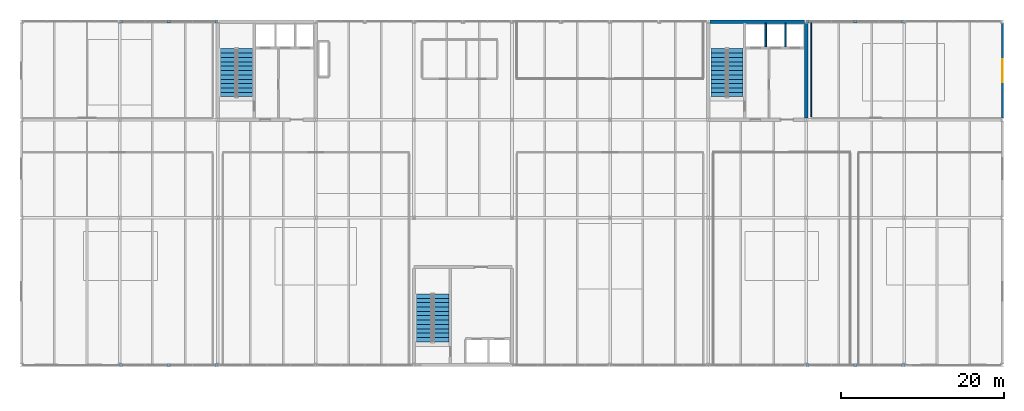
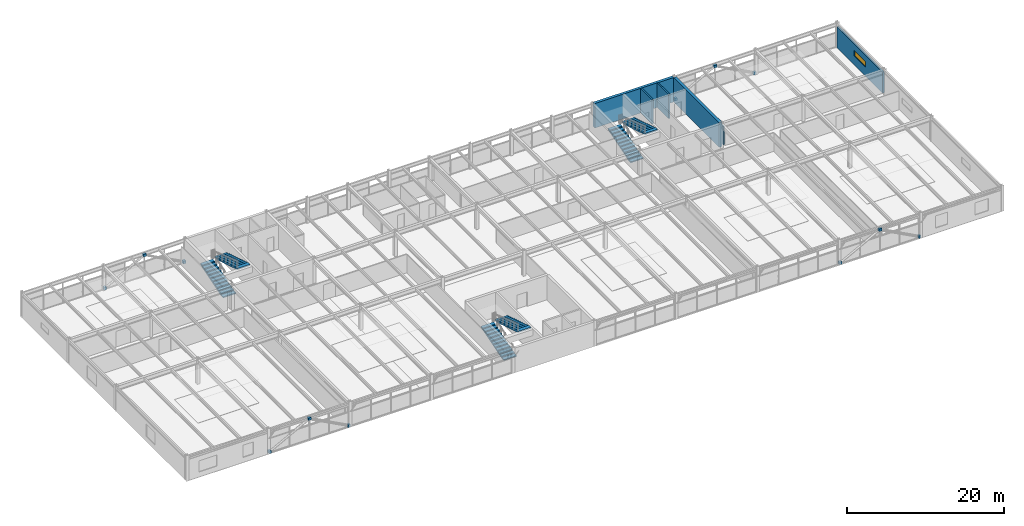
# One storey, part 46 of 51: 12 discrete accessories, 6 stair flights, 6 walls, 1 window, 1 opening, 3 elements without a shape of their own.
"""IFC4 building model written with IfcOpenShell, lengths in metres."""

from ifc_helpers import new_model, si_unit, direction, frame, frame_2d, origin, origin_2d, place, context, subcontext, project, spatial, polyline, rectangle, outline, extrude, material, layer, layer_set, type_object, element, fill, aggregate, save


model = new_model("IFC4")

# Units and contexts
model_context = context("Model", 3, precision=1e-05, world=origin(), true_north=direction((0.0, 1.0)))
body_context = subcontext(model_context, "Body", "Model", "MODEL_VIEW")
ifc_project = project(units=[si_unit("LENGTHUNIT", "METRE"), si_unit("AREAUNIT", "SQUARE_METRE"), si_unit("VOLUMEUNIT", "CUBIC_METRE"), si_unit("PLANEANGLEUNIT", "RADIAN"), si_unit("MASSUNIT", "GRAM", prefix="KILO")], contexts=[model_context])

# Site, building, storey
site_placement = place(None, origin())
site = spatial("IfcSite", under=ifc_project, at=site_placement, CompositionType="ELEMENT")
building_placement = place(site_placement, origin())
building = spatial("IfcBuilding", under=site, at=building_placement, Name="Girod Span Mobility Hub", CompositionType="ELEMENT")
storey_placement = place(building_placement, frame((0.0, 0.0, 41.60009765625)))
storey = spatial("IfcBuildingStorey", under=building, at=storey_placement, Name="L10", CompositionType="ELEMENT", Elevation=41.60009765625)

# Walls
ifc_material_1 = material(Name="Concrete C40/50", Category="concrete")
ifc_layer_1 = layer(ifc_material_1, 0.39990234375)
ifc_layer_set_1 = layer_set([ifc_layer_1], Name="Concrete C40/50")
wall_type_1 = type_object("IfcWallType", Name="W-CW-400", PredefinedType="SHEAR", material=ifc_layer_set_1)
wall_1_placement = place(storey_placement, frame((108.196533203125, 69.0, 0.0), z_axis=(0.0, 0.0, 1.0), x_axis=(1.0, 0.0, 0.0)))
element("IfcWall", 1, at=wall_1_placement, inside=storey, type_object=wall_type_1, Name="Core C2 Shear Wall N L10", PredefinedType="SHEAR", context=body_context, shape_type="SweptSolid", body=[
    extrude(rectangle(XDim=11.60693359375, YDim=0.39990234375, at=frame_2d((5.803466796875, 0.0))), origin(), (0.0, 0.0, 1.0), 3.827880859375),
])
wall_2_placement = place(storey_placement, frame((120.0, 57.193603515625, 0.0), z_axis=(0.0, 0.0, 1.0), x_axis=(0.0, 1.0, 0.0)))
element("IfcWall", 2, at=wall_2_placement, inside=storey, type_object=wall_type_1, Name="Core C2 Shear Wall E L10", PredefinedType="SHEAR", context=body_context, shape_type="SweptSolid", body=[
    extrude(rectangle(XDim=11.61279296875, YDim=0.39990234375, at=frame_2d((5.806396484375, 0.0))), origin(), (0.0, 0.0, 1.0), 3.827880859375),
])

# Wall, opening, window
ifc_material_2 = material(Name="Precast Architectural Concrete C40/50", Category="concrete")
ifc_layer_2 = layer(ifc_material_2, 0.27001953125)
ifc_layer_set_2 = layer_set([ifc_layer_2], Name="Precast Architectural Concrete C40/50")
wall_type_2 = type_object("IfcWallType", Name="W-EXT-270", PredefinedType="SOLIDWALL", material=ifc_layer_set_2)
wall_3_placement = place(storey_placement, frame((144.0, 57.185546875, 0.0), z_axis=(0.0, 0.0, 1.0), x_axis=(0.0, 1.0, 0.0)))
wall_3 = element("IfcWall", 3, at=wall_3_placement, inside=storey, type_object=wall_type_2, Name="End Facade Insulated Wall E-E L10", PredefinedType="SOLIDWALL", context=body_context, shape_type="SweptSolid", body=[
    extrude(rectangle(XDim=11.62890625, YDim=0.27001953125, at=frame_2d((5.814453125, 0.0))), origin(), (0.0, 0.0, 1.0), 3.281005859375),
])
opening_placement = place(wall_3_placement, frame((4.388916015625, 0.0, 1.39990234375)))
opening = element("IfcOpeningElement", 4, at=opening_placement, cuts=wall_3, Name="Opening W-L10-E4", PredefinedType="OPENING", context=body_context, shape_type="SweptSolid", body=[
    extrude(rectangle(XDim=2.85009765625, YDim=0.8798828125, at=frame_2d((1.425048828125, 0.43994140625))), frame((0.0, 0.14990234375, 0.0), z_axis=(0.0, -1.0, 0.0), x_axis=(1.0, 0.0, 0.0)), (0.0, 0.0, 1.0), 0.300048828125),
])
ifc_material_3 = material(Name="Double Low-E Insulated Glazing", Category="glass")
window_type = type_object("IfcWindowType", Name="WN-47", PartitioningType="DOUBLE_PANEL_VERTICAL", PredefinedType="USERDEFINED", material=ifc_material_3)
window_placement = place(opening_placement, origin())
window = element("IfcWindow", 5, at=window_placement, inside=storey, type_object=window_type, Name="End Office Window WN-47", ObjectType="TRANSOM LIGHT", OverallHeight=0.8798828125, OverallWidth=2.85009765625, PartitioningType="DOUBLE_PANEL_VERTICAL", PredefinedType="USERDEFINED", context=body_context, shape_type="SweptSolid", body=[
    extrude(rectangle(XDim=2.85009765625, YDim=0.8798828125, at=frame_2d((1.425048828125, 0.43994140625))), frame((0.0, 0.030029296875, 0.0), z_axis=(0.0, -1.0, 0.0), x_axis=(1.0, 0.0, 0.0)), (0.0, 0.0, 1.0), 0.06005859375),
])
fill(opening, window)

# Walls
ifc_material_4 = material(Name="Fire-Rated Gypsum Board on Metal Studs", Category="gypsum")
ifc_layer_3 = layer(ifc_material_4, 0.125)
ifc_layer_set_3 = layer_set([ifc_layer_3], Name="Fire-Rated Gypsum Board on Metal Studs")
wall_type_3 = type_object("IfcWallType", Name="W-PT-125", PredefinedType="PARTITIONING", material=ifc_layer_set_3)
wall_4_placement = place(storey_placement, frame((120.60009765625, 57.360107421875, 0.0), z_axis=(0.0, 0.0, 1.0), x_axis=(0.0, 1.0, 0.0)))
element("IfcWall", 6, at=wall_4_placement, inside=storey, type_object=wall_type_3, Name="Engineering Studio East L10 Partition W", PredefinedType="PARTITIONING", context=body_context, shape_type="SweptSolid", body=[
    extrude(rectangle(XDim=11.5, YDim=0.125, at=frame_2d((5.75, 0.0))), origin(), (0.0, 0.0, 1.0), 2.8798828125),
])
ifc_material_5 = material(Name="Concrete C40/50", Category="concrete")
ifc_layer_4 = layer(ifc_material_5, 0.199951171875)
ifc_layer_set_4 = layer_set([ifc_layer_4], Name="Concrete C40/50")
wall_type_4 = type_object("IfcWallType", Name="W-SH-200", PredefinedType="SOLIDWALL", material=ifc_layer_set_4)
for number, where, z_axis, x_axis, name in (
    (7, (115.050048828125, 65.919921875, 0.0), (0.0, 0.0, 1.0), (0.0, 1.0, 0.0), "Core C2 Shaft Divider 1 L10"),
    (8, (117.47998046875, 65.919921875, 0.0), (0.0, 0.0, 1.0), (0.0, 1.0, 0.0), "Core C2 Shaft Divider 2 L10"),
):
    element("IfcWall", number, at=place(storey_placement, frame(where, z_axis=z_axis, x_axis=x_axis)), inside=storey, type_object=wall_type_4, Name=name, PredefinedType="SOLIDWALL", context=body_context, shape_type="SweptSolid", body=[
        extrude(rectangle(XDim=2.880126953125, YDim=0.199951171875, at=frame_2d((1.43994140625, 0.0))), origin(), (0.0, 0.0, 1.0), 3.81787109375),
    ])

# Stair, stair flights
ifc_material_6 = material(Name="Concrete C40/50", Category="concrete")
stair_type = type_object("IfcStairType", Name="STR-4000-W1860", PredefinedType="HALF_TURN_STAIR", material=ifc_material_6)
stair_1_placement = place(storey_placement, origin())
stair_1 = element("IfcStair", 9, at=stair_1_placement, inside=storey, type_object=stair_type, Name="Exit Stair ST-1 L10", PredefinedType="HALF_TURN_STAIR")
ifc_material_7 = material(Name="Concrete C40/50", Category="concrete")
stair_flight_type = type_object("IfcStairFlightType", Name="STF-2000-W1860", PredefinedType="STRAIGHT", material=ifc_material_7)
stair_flight_1_placement = place(storey_placement, frame((49.25, 59.81005859375, 0.0), z_axis=(0.0, 0.0, 1.0), x_axis=(0.0, 1.0, 0.0)))
stair_flight_1 = element("IfcStairFlight", 10, at=stair_flight_1_placement, type_object=stair_flight_type, Name="Stair ST-1 Flight 1 L10", NumberOfRisers=12, NumberOfTreads=11, PredefinedType="STRAIGHT", RiserHeight=0.16667, TreadLength=0.53455, context=body_context, shape_type="SweptSolid", body=[
    extrude(outline(polyline([(0.0, 0.0), (0.0, 0.166748046875), (0.53466796875, 0.166748046875), (0.53466796875, 0.333251953125), (1.069091796875, 0.333251953125), (1.069091796875, 0.5), (1.603759765625, 0.5), (1.603759765625, 0.666748046875), (2.13818359375, 0.666748046875), (2.13818359375, 0.833251953125), (2.6728515625, 0.833251953125), (2.6728515625, 1.0), (3.207275390625, 1.0), (3.207275390625, 1.166748046875), (3.741943359375, 1.166748046875), (3.741943359375, 1.333251953125), (4.2763671875, 1.333251953125), (4.2763671875, 1.5), (4.81103515625, 1.5), (4.81103515625, 1.666748046875), (5.345458984375, 1.666748046875), (5.345458984375, 1.833251953125), (5.880126953125, 1.833251953125), (5.880126953125, 2.0), (5.880126953125, 1.634521484375), (0.63818359375, 0.0), (0.0, 0.0)])), frame((0.0, 0.93017578125, 0.0), z_axis=(0.0, -1.0, 0.0), x_axis=(1.0, 0.0, 0.0)), (0.0, 0.0, 1.0), 1.860107421875),
])
stair_flight_2_placement = place(storey_placement, frame((51.35009765625, 65.68994140625, 2.0), z_axis=(0.0, 0.0, 1.0), x_axis=(0.0, -1.0, 0.0)))
stair_flight_2 = element("IfcStairFlight", 11, at=stair_flight_2_placement, type_object=stair_flight_type, Name="Stair ST-1 Flight 2 L10", NumberOfRisers=12, NumberOfTreads=11, PredefinedType="STRAIGHT", RiserHeight=0.16667, TreadLength=0.53455, context=body_context, shape_type="SweptSolid", body=[
    extrude(outline(polyline([(0.0, 0.0), (0.0, 0.166748046875), (0.53466796875, 0.166748046875), (0.53466796875, 0.333251953125), (1.069091796875, 0.333251953125), (1.069091796875, 0.5), (1.603759765625, 0.5), (1.603759765625, 0.666748046875), (2.13818359375, 0.666748046875), (2.13818359375, 0.833251953125), (2.6728515625, 0.833251953125), (2.6728515625, 1.0), (3.207275390625, 1.0), (3.207275390625, 1.166748046875), (3.741943359375, 1.166748046875), (3.741943359375, 1.333251953125), (4.2763671875, 1.333251953125), (4.2763671875, 1.5), (4.81103515625, 1.5), (4.81103515625, 1.666748046875), (5.345458984375, 1.666748046875), (5.345458984375, 1.833251953125), (5.880126953125, 1.833251953125), (5.880126953125, 2.0), (5.880126953125, 1.634521484375), (0.63818359375, 0.0), (0.0, 0.0)])), frame((0.0, 0.93017578125, 0.0), z_axis=(0.0, -1.0, 0.0), x_axis=(1.0, 0.0, 0.0)), (0.0, 0.0, 1.0), 1.860107421875),
])
aggregate(stair_1, [stair_flight_1, stair_flight_2])

stair_2_placement = place(storey_placement, origin())
stair_2 = element("IfcStair", 12, at=stair_2_placement, inside=storey, type_object=stair_type, Name="Exit Stair ST-2 L10", PredefinedType="HALF_TURN_STAIR")
stair_flight_3_placement = place(storey_placement, frame((109.25, 59.81005859375, 0.0), z_axis=(0.0, 0.0, 1.0), x_axis=(0.0, 1.0, 0.0)))
stair_flight_3 = element("IfcStairFlight", 13, at=stair_flight_3_placement, type_object=stair_flight_type, Name="Stair ST-2 Flight 1 L10", NumberOfRisers=12, NumberOfTreads=11, PredefinedType="STRAIGHT", RiserHeight=0.16667, TreadLength=0.53455, context=body_context, shape_type="SweptSolid", body=[
    extrude(outline(polyline([(0.0, 0.0), (0.0, 0.166748046875), (0.53466796875, 0.166748046875), (0.53466796875, 0.333251953125), (1.069091796875, 0.333251953125), (1.069091796875, 0.5), (1.603759765625, 0.5), (1.603759765625, 0.666748046875), (2.13818359375, 0.666748046875), (2.13818359375, 0.833251953125), (2.6728515625, 0.833251953125), (2.6728515625, 1.0), (3.207275390625, 1.0), (3.207275390625, 1.166748046875), (3.741943359375, 1.166748046875), (3.741943359375, 1.333251953125), (4.2763671875, 1.333251953125), (4.2763671875, 1.5), (4.81103515625, 1.5), (4.81103515625, 1.666748046875), (5.345458984375, 1.666748046875), (5.345458984375, 1.833251953125), (5.880126953125, 1.833251953125), (5.880126953125, 2.0), (5.880126953125, 1.634521484375), (0.63818359375, 0.0), (0.0, 0.0)])), frame((0.0, 0.93017578125, 0.0), z_axis=(0.0, -1.0, 0.0), x_axis=(1.0, 0.0, 0.0)), (0.0, 0.0, 1.0), 1.860107421875),
])
stair_flight_4_placement = place(storey_placement, frame((111.35009765625, 65.68994140625, 2.0), z_axis=(0.0, 0.0, 1.0), x_axis=(0.0, -1.0, 0.0)))
stair_flight_4 = element("IfcStairFlight", 14, at=stair_flight_4_placement, type_object=stair_flight_type, Name="Stair ST-2 Flight 2 L10", NumberOfRisers=12, NumberOfTreads=11, PredefinedType="STRAIGHT", RiserHeight=0.16667, TreadLength=0.53455, context=body_context, shape_type="SweptSolid", body=[
    extrude(outline(polyline([(0.0, 0.0), (0.0, 0.166748046875), (0.53466796875, 0.166748046875), (0.53466796875, 0.333251953125), (1.069091796875, 0.333251953125), (1.069091796875, 0.5), (1.603759765625, 0.5), (1.603759765625, 0.666748046875), (2.13818359375, 0.666748046875), (2.13818359375, 0.833251953125), (2.6728515625, 0.833251953125), (2.6728515625, 1.0), (3.207275390625, 1.0), (3.207275390625, 1.166748046875), (3.741943359375, 1.166748046875), (3.741943359375, 1.333251953125), (4.2763671875, 1.333251953125), (4.2763671875, 1.5), (4.81103515625, 1.5), (4.81103515625, 1.666748046875), (5.345458984375, 1.666748046875), (5.345458984375, 1.833251953125), (5.880126953125, 1.833251953125), (5.880126953125, 2.0), (5.880126953125, 1.634521484375), (0.63818359375, 0.0), (0.0, 0.0)])), frame((0.0, 0.93017578125, 0.0), z_axis=(0.0, -1.0, 0.0), x_axis=(1.0, 0.0, 0.0)), (0.0, 0.0, 1.0), 1.860107421875),
])
aggregate(stair_2, [stair_flight_3, stair_flight_4])

stair_3_placement = place(storey_placement, origin())
stair_3 = element("IfcStair", 15, at=stair_3_placement, inside=storey, type_object=stair_type, Name="Exit Stair ST-3 L10", PredefinedType="HALF_TURN_STAIR")
stair_flight_5_placement = place(storey_placement, frame((73.25, 29.81005859375, 0.0), z_axis=(0.0, 0.0, 1.0), x_axis=(0.0, 1.0, 0.0)))
stair_flight_5 = element("IfcStairFlight", 16, at=stair_flight_5_placement, type_object=stair_flight_type, Name="Stair ST-3 Flight 1 L10", NumberOfRisers=12, NumberOfTreads=11, PredefinedType="STRAIGHT", RiserHeight=0.16667, TreadLength=0.53455, context=body_context, shape_type="SweptSolid", body=[
    extrude(outline(polyline([(0.0, 0.0), (0.0, 0.166748046875), (0.53466796875, 0.166748046875), (0.53466796875, 0.333251953125), (1.069091796875, 0.333251953125), (1.069091796875, 0.5), (1.603759765625, 0.5), (1.603759765625, 0.666748046875), (2.13818359375, 0.666748046875), (2.13818359375, 0.833251953125), (2.6728515625, 0.833251953125), (2.6728515625, 1.0), (3.207275390625, 1.0), (3.207275390625, 1.166748046875), (3.741943359375, 1.166748046875), (3.741943359375, 1.333251953125), (4.2763671875, 1.333251953125), (4.2763671875, 1.5), (4.81103515625, 1.5), (4.81103515625, 1.666748046875), (5.345458984375, 1.666748046875), (5.345458984375, 1.833251953125), (5.880126953125, 1.833251953125), (5.880126953125, 2.0), (5.880126953125, 1.634521484375), (0.63818359375, 0.0), (0.0, 0.0)])), frame((0.0, 0.93017578125, 0.0), z_axis=(0.0, -1.0, 0.0), x_axis=(1.0, 0.0, 0.0)), (0.0, 0.0, 1.0), 1.860107421875),
])
stair_flight_6_placement = place(storey_placement, frame((75.35009765625, 35.68994140625, 2.0), z_axis=(0.0, 0.0, 1.0), x_axis=(0.0, -1.0, 0.0)))
stair_flight_6 = element("IfcStairFlight", 17, at=stair_flight_6_placement, type_object=stair_flight_type, Name="Stair ST-3 Flight 2 L10", NumberOfRisers=12, NumberOfTreads=11, PredefinedType="STRAIGHT", RiserHeight=0.16667, TreadLength=0.53455, context=body_context, shape_type="SweptSolid", body=[
    extrude(outline(polyline([(0.0, 0.0), (0.0, 0.166748046875), (0.53466796875, 0.166748046875), (0.53466796875, 0.333251953125), (1.069091796875, 0.333251953125), (1.069091796875, 0.5), (1.603759765625, 0.5), (1.603759765625, 0.666748046875), (2.13818359375, 0.666748046875), (2.13818359375, 0.833251953125), (2.6728515625, 0.833251953125), (2.6728515625, 1.0), (3.207275390625, 1.0), (3.207275390625, 1.166748046875), (3.741943359375, 1.166748046875), (3.741943359375, 1.333251953125), (4.2763671875, 1.333251953125), (4.2763671875, 1.5), (4.81103515625, 1.5), (4.81103515625, 1.666748046875), (5.345458984375, 1.666748046875), (5.345458984375, 1.833251953125), (5.880126953125, 1.833251953125), (5.880126953125, 2.0), (5.880126953125, 1.634521484375), (0.63818359375, 0.0), (0.0, 0.0)])), frame((0.0, 0.93017578125, 0.0), z_axis=(0.0, -1.0, 0.0), x_axis=(1.0, 0.0, 0.0)), (0.0, 0.0, 1.0), 1.860107421875),
])
aggregate(stair_3, [stair_flight_5, stair_flight_6])

# Discrete accessories
ifc_material_8 = material(Name="Steel HSS A500 Grade C", Category="steel")
discrete_accessory_type = type_object("IfcDiscreteAccessoryType", Name="ACC-CAP-HSS324", PredefinedType="BRACKET", material=ifc_material_8)
for number, where, z_axis, x_axis, name in (
    (18, (36.16845703125, 27.0, 0.0400390625), (0.0, 0.0, 1.0), (1.0, 0.0, 0.0), "Diagrid Brace End Cap Gusset 4/C-L L10"),
    (19, (47.83154296875, 27.0, 0.0400390625), (0.0, 0.0, 1.0), (1.0, 0.0, 0.0), "Diagrid Brace End Cap Gusset 4/C-R L10"),
):
    element("IfcDiscreteAccessory", number, at=place(storey_placement, frame(where, z_axis=z_axis, x_axis=x_axis)), inside=storey, type_object=discrete_accessory_type, Name=name, PredefinedType="BRACKET", context=body_context, shape_type="SweptSolid", body=[
        extrude(rectangle(XDim=0.35693359375, YDim=0.360107421875, at=origin_2d()), origin(), (0.0, 0.0, 1.0), 0.419921875),
    ])
discrete_accessory_1_placement = place(storey_placement, frame((42.0, 27.0, 3.180908203125), z_axis=(0.0, 0.0, 1.0), x_axis=(1.0, 0.0, 0.0)))
element("IfcDiscreteAccessory", 20, at=discrete_accessory_1_placement, inside=storey, type_object=discrete_accessory_type, Name="Diagrid Brace Apex End Cap Gusset 4/C-M L10", PredefinedType="BRACKET", context=body_context, shape_type="SweptSolid", body=[
    extrude(rectangle(XDim=0.43994140625, YDim=0.360107421875, at=origin_2d()), origin(), (0.0, 0.0, 1.0), 0.3798828125),
])
for number, where, z_axis, x_axis, name in (
    (21, (120.16845703125, 27.0, 0.0400390625), (0.0, 0.0, 1.0), (1.0, 0.0, 0.0), "Diagrid Brace End Cap Gusset 11/C-L L10"),
    (22, (131.83154296875, 27.0, 0.0400390625), (0.0, 0.0, 1.0), (1.0, 0.0, 0.0), "Diagrid Brace End Cap Gusset 11/C-R L10"),
):
    element("IfcDiscreteAccessory", number, at=place(storey_placement, frame(where, z_axis=z_axis, x_axis=x_axis)), inside=storey, type_object=discrete_accessory_type, Name=name, PredefinedType="BRACKET", context=body_context, shape_type="SweptSolid", body=[
        extrude(rectangle(XDim=0.35693359375, YDim=0.360107421875, at=origin_2d()), origin(), (0.0, 0.0, 1.0), 0.419921875),
    ])
discrete_accessory_2_placement = place(storey_placement, frame((126.0, 27.0, 3.180908203125), z_axis=(0.0, 0.0, 1.0), x_axis=(1.0, 0.0, 0.0)))
element("IfcDiscreteAccessory", 23, at=discrete_accessory_2_placement, inside=storey, type_object=discrete_accessory_type, Name="Diagrid Brace Apex End Cap Gusset 11/C-M L10", PredefinedType="BRACKET", context=body_context, shape_type="SweptSolid", body=[
    extrude(rectangle(XDim=0.43994140625, YDim=0.360107421875, at=origin_2d()), origin(), (0.0, 0.0, 1.0), 0.3798828125),
])
discrete_accessory_3_placement = place(storey_placement, frame((36.16845703125, 69.0, 0.0400390625), z_axis=(0.0, 0.0, 1.0), x_axis=(1.0, 0.0, 0.0)))
element("IfcDiscreteAccessory", 24, at=discrete_accessory_3_placement, inside=storey, type_object=discrete_accessory_type, Name="Diagrid Brace End Cap Gusset 4/F-L L10", PredefinedType="BRACKET", context=body_context, shape_type="SweptSolid", body=[
    extrude(rectangle(XDim=0.35693359375, YDim=0.360107421875, at=origin_2d()), origin(), (0.0, 0.0, 1.0), 0.419921875),
])
discrete_accessory_4_placement = place(storey_placement, frame((47.830078125, 69.0, 0.0400390625), z_axis=(0.0, 0.0, 1.0), x_axis=(1.0, 0.0, 0.0)))
element("IfcDiscreteAccessory", 25, at=discrete_accessory_4_placement, inside=storey, type_object=discrete_accessory_type, Name="Diagrid Brace End Cap Gusset 4/F-R L10", PredefinedType="BRACKET", context=body_context, shape_type="SweptSolid", body=[
    extrude(rectangle(XDim=0.359619140625, YDim=0.360107421875, at=origin_2d()), origin(), (0.0, 0.0, 1.0), 0.419921875),
])
discrete_accessory_5_placement = place(storey_placement, frame((42.0, 69.0, 3.180908203125), z_axis=(0.0, 0.0, 1.0), x_axis=(1.0, 0.0, 0.0)))
element("IfcDiscreteAccessory", 26, at=discrete_accessory_5_placement, inside=storey, type_object=discrete_accessory_type, Name="Diagrid Brace Apex End Cap Gusset 4/F-M L10", PredefinedType="BRACKET", context=body_context, shape_type="SweptSolid", body=[
    extrude(rectangle(XDim=0.43994140625, YDim=0.360107421875, at=origin_2d()), origin(), (0.0, 0.0, 1.0), 0.3798828125),
])
discrete_accessory_6_placement = place(storey_placement, frame((120.169677734375, 69.0, 0.0400390625), z_axis=(0.0, 0.0, 1.0), x_axis=(1.0, 0.0, 0.0)))
element("IfcDiscreteAccessory", 27, at=discrete_accessory_6_placement, inside=storey, type_object=discrete_accessory_type, Name="Diagrid Brace End Cap Gusset 11/F-L L10", PredefinedType="BRACKET", context=body_context, shape_type="SweptSolid", body=[
    extrude(rectangle(XDim=0.359619140625, YDim=0.360107421875, at=origin_2d()), origin(), (0.0, 0.0, 1.0), 0.419921875),
])
discrete_accessory_7_placement = place(storey_placement, frame((131.83154296875, 69.0, 0.0400390625), z_axis=(0.0, 0.0, 1.0), x_axis=(1.0, 0.0, 0.0)))
element("IfcDiscreteAccessory", 28, at=discrete_accessory_7_placement, inside=storey, type_object=discrete_accessory_type, Name="Diagrid Brace End Cap Gusset 11/F-R L10", PredefinedType="BRACKET", context=body_context, shape_type="SweptSolid", body=[
    extrude(rectangle(XDim=0.35693359375, YDim=0.360107421875, at=origin_2d()), origin(), (0.0, 0.0, 1.0), 0.419921875),
])
discrete_accessory_8_placement = place(storey_placement, frame((126.0, 69.0, 3.180908203125), z_axis=(0.0, 0.0, 1.0), x_axis=(1.0, 0.0, 0.0)))
element("IfcDiscreteAccessory", 29, at=discrete_accessory_8_placement, inside=storey, type_object=discrete_accessory_type, Name="Diagrid Brace Apex End Cap Gusset 11/F-M L10", PredefinedType="BRACKET", context=body_context, shape_type="SweptSolid", body=[
    extrude(rectangle(XDim=0.43994140625, YDim=0.360107421875, at=origin_2d()), origin(), (0.0, 0.0, 1.0), 0.3798828125),
])

save(model, "model.ifc")
